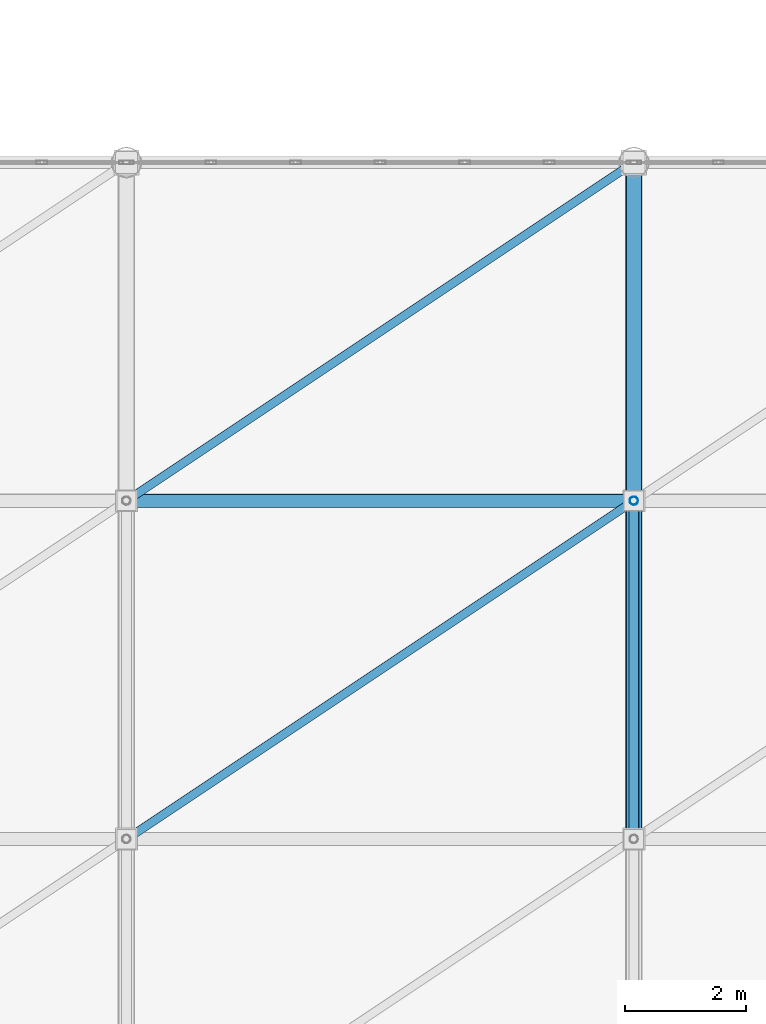
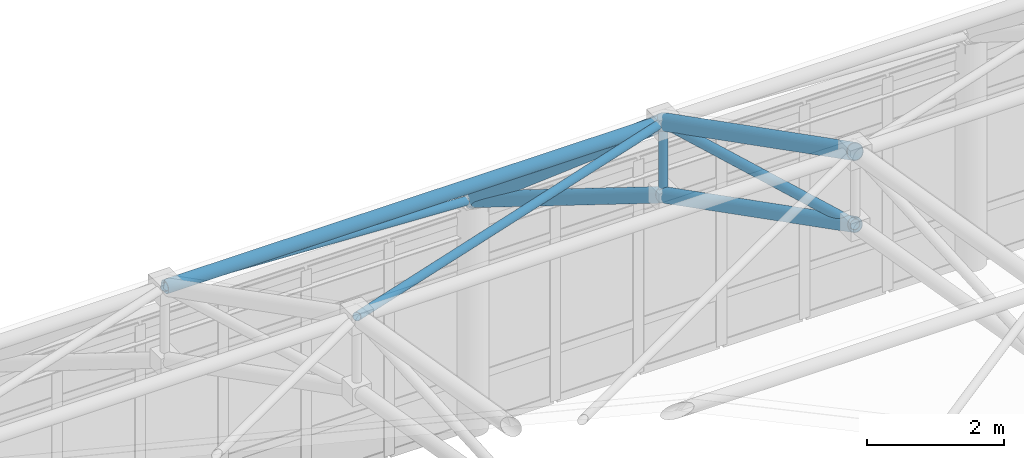
# One storey, part 78 of 184: 9 members.
"""IFC4 building model written with IfcOpenShell, lengths in metres."""

from ifc_helpers import new_model, si_unit, direction, frame, origin, origin_2d, place, context, subcontext, project, spatial, hollow_circle, extrude, material, material_profile, profile_set, type_object, element, save


model = new_model("IFC4")

# Units and contexts
model_context = context("Model", 3, precision=1e-05, world=origin(), true_north=direction((0.0, 1.0)))
body_context = subcontext(model_context, "Body", "Model", "MODEL_VIEW")
ifc_project = project(units=[si_unit("LENGTHUNIT", "METRE"), si_unit("AREAUNIT", "SQUARE_METRE"), si_unit("VOLUMEUNIT", "CUBIC_METRE"), si_unit("PLANEANGLEUNIT", "RADIAN"), si_unit("MASSUNIT", "GRAM", prefix="KILO")], contexts=[model_context])

# Site, building, storey
site_placement = place(None, origin())
site = spatial("IfcSite", under=ifc_project, at=site_placement, CompositionType="ELEMENT")
building_placement = place(site_placement, origin())
building = spatial("IfcBuilding", under=site, at=building_placement, Name="Qalvenar Corner Mobility Hub", CompositionType="ELEMENT")
storey_placement = place(building_placement, frame((0.0, 0.0, 9.0)))
storey = spatial("IfcBuildingStorey", under=building, at=storey_placement, Name="L02", CompositionType="ELEMENT", Elevation=9.0)

# Members
ifc_material = material(Name="Steel S355", Category="steel")
ifc_material_profile_1 = material_profile(ifc_material, hollow_circle(Radius=0.109619140625, WallThickness=0.008056640625, at=origin_2d()), Name="CHS219.1x8")
ifc_profile_set_1 = profile_set([ifc_material_profile_1], Name="Steel S355")
member_type_1 = type_object("IfcMemberType", Name="SF-CHD219", PredefinedType="CHORD", material=ifc_profile_set_1)
member_1_placement = place(storey_placement, frame((75.60009765625, 28.0, 8.837890625), z_axis=(1.0, 0.0, 0.0), x_axis=(0.0, 1.0, 0.0)))
element("IfcMember", 1, at=member_1_placement, inside=storey, type_object=member_type_1, Name="Space Frame Longitudinal Chord SFL-0206", PredefinedType="CHORD", context=body_context, shape_type="SweptSolid", body=[
    extrude(hollow_circle(Radius=0.109619140625, WallThickness=0.008056640625, at=origin_2d()), origin(), (0.0, 0.0, 1.0), 8.39990234375),
])
ifc_material_profile_2 = material_profile(ifc_material, hollow_circle(Radius=0.122314453125, WallThickness=0.0087890625, at=origin_2d()), Name="CHS244.5x8.8")
ifc_profile_set_2 = profile_set([ifc_material_profile_2], Name="Steel S355")
member_type_2 = type_object("IfcMemberType", Name="SF-CHD244", PredefinedType="CHORD", material=ifc_profile_set_2)
member_2_placement = place(storey_placement, frame((84.0, 22.39990234375, 10.404296875), z_axis=(0.0, 0.890165077293, -0.455638162547), x_axis=(-1.0, 0.0, 0.0)))
element("IfcMember", 2, at=member_2_placement, inside=storey, type_object=member_type_2, Name="Space Frame Bottom Chord SFBC-0097", PredefinedType="CHORD", context=body_context, shape_type="SweptSolid", body=[
    extrude(hollow_circle(Radius=0.122314453125, WallThickness=0.0087890625, at=origin_2d()), origin(), (0.0, 0.0, 1.0), 6.291015625),
])
member_3_placement = place(storey_placement, frame((84.0, 28.0, 7.537841796875), z_axis=(0.0, 0.849513681623, -0.527566587964), x_axis=(-1.0, 0.0, 0.0)))
element("IfcMember", 3, at=member_3_placement, inside=storey, type_object=member_type_2, Name="Space Frame Bottom Chord SFBC-0100", PredefinedType="CHORD", context=body_context, shape_type="SweptSolid", body=[
    extrude(hollow_circle(Radius=0.122314453125, WallThickness=0.0087890625, at=origin_2d()), origin(), (0.0, 0.0, 1.0), 6.592041015625),
])
ifc_material_profile_3 = material_profile(ifc_material, hollow_circle(Radius=0.136474609375, WallThickness=0.010009765625, at=origin_2d()), Name="CHS273x10")
ifc_profile_set_3 = profile_set([ifc_material_profile_3], Name="Steel S355")
member_type_3 = type_object("IfcMemberType", Name="SF-CHD273", PredefinedType="CHORD", material=ifc_profile_set_3)
member_4_placement = place(storey_placement, frame((84.0, 22.39990234375, 11.704345703125), z_axis=(0.0, 0.890165077293, -0.455638162547), x_axis=(-1.0, 0.0, 0.0)))
element("IfcMember", 4, at=member_4_placement, inside=storey, type_object=member_type_3, Name="Space Frame Top Chord SFTC-0096", PredefinedType="CHORD", context=body_context, shape_type="SweptSolid", body=[
    extrude(hollow_circle(Radius=0.136474609375, WallThickness=0.010009765625, at=origin_2d()), origin(), (0.0, 0.0, 1.0), 6.291015625),
])
member_5_placement = place(storey_placement, frame((84.0, 28.0, 8.837890625), z_axis=(0.0, 0.760748216799, -0.64904710972), x_axis=(-1.0, 0.0, 0.0)))
element("IfcMember", 5, at=member_5_placement, inside=storey, type_object=member_type_3, Name="Space Frame Top Chord SFTC-0099", PredefinedType="CHORD", context=body_context, shape_type="SweptSolid", body=[
    extrude(hollow_circle(Radius=0.136474609375, WallThickness=0.010009765625, at=origin_2d()), origin(), (0.0, 0.0, 1.0), 7.361328125),
])
ifc_material_profile_4 = material_profile(ifc_material, hollow_circle(Radius=0.06982421875, WallThickness=0.0048828125, at=origin_2d()), Name="CHS139.7x5")
ifc_profile_set_4 = profile_set([ifc_material_profile_4], Name="Steel S355")
member_type_4 = type_object("IfcMemberType", Name="SF-STR139", PredefinedType="STRUT", material=ifc_profile_set_4)
member_6_placement = place(storey_placement, frame((84.0, 28.0, 7.537841796875), z_axis=(0.0, 0.0, 1.0), x_axis=(1.0, 0.0, 0.0)))
element("IfcMember", 6, at=member_6_placement, inside=storey, type_object=member_type_4, Name="Space Frame King Strut SFV-0105", PredefinedType="STRUT", context=body_context, shape_type="SweptSolid", body=[
    extrude(hollow_circle(Radius=0.06982421875, WallThickness=0.0048828125, at=origin_2d()), origin(), (0.0, 0.0, 1.0), 1.300048828125),
])
member_7_placement = place(storey_placement, frame((75.60009765625, 22.39990234375, 11.704345703125), z_axis=(0.800404556172, 0.533618546459, -0.273136949777), x_axis=(-0.554711357594, 0.832042853317, 0.0)))
element("IfcMember", 7, at=member_7_placement, inside=storey, type_object=member_type_4, Name="Space Frame Plan Strut SFP-0211", PredefinedType="STRUT", context=body_context, shape_type="SweptSolid", body=[
    extrude(hollow_circle(Radius=0.06982421875, WallThickness=0.0048828125, at=origin_2d()), origin(), (0.0, 0.0, 1.0), 10.49462890625),
])
member_8_placement = place(storey_placement, frame((75.60009765625, 28.0, 8.837890625), z_axis=(0.752071189663, 0.50139536559, -0.427775189842), x_axis=(-0.554711357594, 0.832042853317, 0.0)))
element("IfcMember", 8, at=member_8_placement, inside=storey, type_object=member_type_4, Name="Space Frame Plan Strut SFP-0212", PredefinedType="STRUT", context=body_context, shape_type="SweptSolid", body=[
    extrude(hollow_circle(Radius=0.06982421875, WallThickness=0.0048828125, at=origin_2d()), origin(), (0.0, 0.0, 1.0), 11.1689453125),
])
ifc_material_profile_5 = material_profile(ifc_material, hollow_circle(Radius=0.084228515625, WallThickness=0.00634765625, at=origin_2d()), Name="CHS168.3x6.3")
ifc_profile_set_5 = profile_set([ifc_material_profile_5], Name="Steel S355")
member_type_5 = type_object("IfcMemberType", Name="SF-STR168", PredefinedType="STRUT", material=ifc_profile_set_5)
member_9_placement = place(storey_placement, frame((84.0, 22.39990234375, 10.404296875), z_axis=(0.0, 0.963036367481, -0.269371407), x_axis=(-1.0, 0.0, 0.0)))
element("IfcMember", 9, at=member_9_placement, inside=storey, type_object=member_type_5, Name="Space Frame Web Strut SFD-0098", PredefinedType="STRUT", context=body_context, shape_type="SweptSolid", body=[
    extrude(hollow_circle(Radius=0.084228515625, WallThickness=0.00634765625, at=origin_2d()), origin(), (0.0, 0.0, 1.0), 5.81494140625),
])

save(model, "model.ifc")
